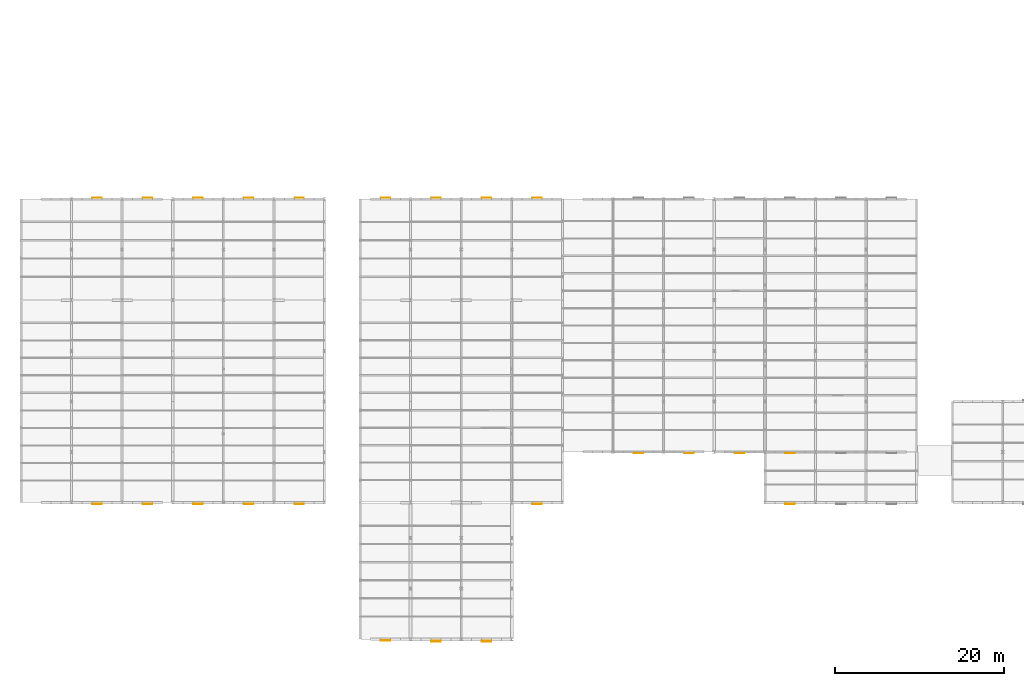
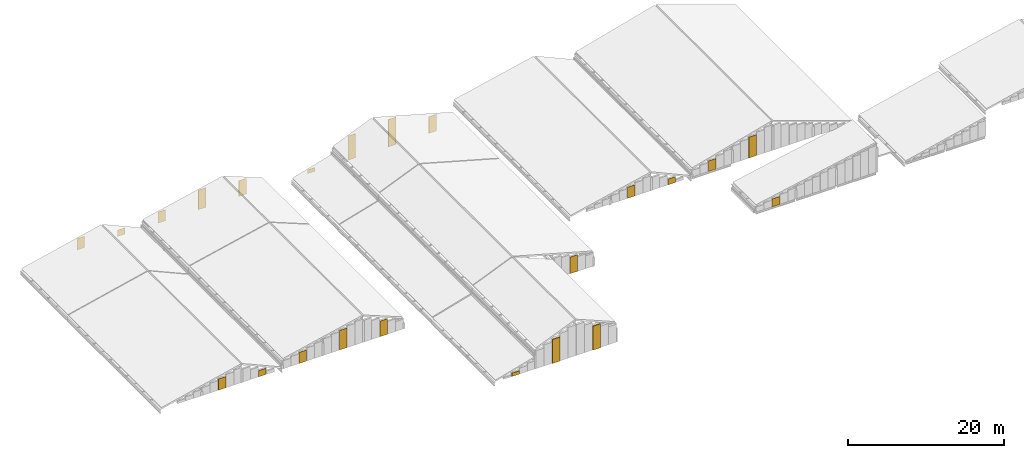
# One storey, part 70 of 74: 23 coverings.
"""IFC4 building model written with IfcOpenShell, lengths in metres."""

from ifc_helpers import new_model, si_unit, direction, frame, origin, origin_2d, place, context, subcontext, project, spatial, rectangle, extrude, material, layer, layer_set, type_object, element, save


model = new_model("IFC4")

# Units and contexts
model_context = context("Model", 3, precision=1e-05, world=origin(), true_north=direction((0.0, 1.0)))
body_context = subcontext(model_context, "Body", "Model", "MODEL_VIEW")
ifc_project = project(units=[si_unit("LENGTHUNIT", "METRE"), si_unit("AREAUNIT", "SQUARE_METRE"), si_unit("VOLUMEUNIT", "CUBIC_METRE"), si_unit("PLANEANGLEUNIT", "RADIAN"), si_unit("MASSUNIT", "GRAM", prefix="KILO")], contexts=[model_context])

# Site, building, storey
site_placement = place(None, origin())
site = spatial("IfcSite", under=ifc_project, at=site_placement, CompositionType="ELEMENT")
building_placement = place(site_placement, origin())
building = spatial("IfcBuilding", under=site, at=building_placement, Name="Siltcreek Boulevard Central Fire Station", CompositionType="ELEMENT")
storey_placement = place(building_placement, frame((0.0, 0.0, 25.199951171875)))
storey = spatial("IfcBuildingStorey", under=building, at=storey_placement, Name="RF", CompositionType="ELEMENT", Elevation=25.199951171875)

# Coverings
ifc_material_1 = material(Name="Sandblasted terracotta red brick veneer", Category="masonry")
ifc_layer_1 = layer(ifc_material_1, 0.090087890625, Name="Sandblasted terracotta red brick veneer")
ifc_layer_set_1 = layer_set([ifc_layer_1], Name="Sandblasted terracotta red brick veneer")
covering_type_1 = type_object("IfcCoveringType", Name="COV_CLAD_BRICK", PredefinedType="CLADDING", material=ifc_layer_set_1)
for number, where, z_axis, x_axis, name in (
    (1, (51.0, 1.58203125, -15.169921875), (0.0, 0.0, 1.0), (1.0, 0.0, 0.0), "Gable facade cladding panel CL-031"),
    (2, (57.0, 1.58203125, -15.169921875), (0.0, 0.0, 1.0), (1.0, 0.0, 0.0), "Gable facade cladding panel CL-032"),
):
    element("IfcCovering", number, at=place(storey_placement, frame(where, z_axis=z_axis, x_axis=x_axis)), inside=storey, type_object=covering_type_1, Name=name, PredefinedType="CLADDING", context=body_context, shape_type="SweptSolid", body=[
        extrude(rectangle(XDim=1.1220703125, YDim=0.090087890625, at=origin_2d()), origin(), (0.0, 0.0, 1.0), 3.762939453125),
    ])
ifc_material_2 = material(Name="Clear-sealed Western Red Cedar gable cladding", Category="wood")
ifc_layer_2 = layer(ifc_material_2, 0.034912109375, Name="Clear-sealed Western Red Cedar gable cladding")
ifc_layer_set_2 = layer_set([ifc_layer_2], Name="Clear-sealed Western Red Cedar gable cladding")
covering_type_2 = type_object("IfcCoveringType", Name="COV_CLAD_CEDAR", PredefinedType="CLADDING", material=ifc_layer_set_2)
covering_1_placement = place(storey_placement, frame((45.0, 1.652099609375, -15.169921875), z_axis=(0.0, 0.0, 1.0), x_axis=(1.0, 0.0, 0.0)))
element("IfcCovering", 3, at=covering_1_placement, inside=storey, type_object=covering_type_2, Name="Gable facade cladding panel CL-029", PredefinedType="CLADDING", context=body_context, shape_type="SweptSolid", body=[
    extrude(rectangle(XDim=1.1220703125, YDim=0.034912109375, at=origin_2d()), origin(), (0.0, 0.0, 1.0), 0.5234375),
])
covering_2_placement = place(storey_placement, frame((45.0, 54.14794921875, -15.169921875), z_axis=(0.0, 0.0, 1.0), x_axis=(-1.0, 0.0, 0.0)))
element("IfcCovering", 4, at=covering_2_placement, inside=storey, type_object=covering_type_2, Name="Gable facade cladding panel CL-030", PredefinedType="CLADDING", context=body_context, shape_type="SweptSolid", body=[
    extrude(rectangle(XDim=1.1220703125, YDim=0.034912109375, at=origin_2d()), origin(), (0.0, 0.0, 1.0), 0.593017578125),
])
covering_3_placement = place(storey_placement, frame((63.0, 17.85205078125, -15.169921875), z_axis=(0.0, 0.0, 1.0), x_axis=(1.0, 0.0, 0.0)))
element("IfcCovering", 5, at=covering_3_placement, inside=storey, type_object=covering_type_2, Name="Gable facade cladding panel CL-033", PredefinedType="CLADDING", context=body_context, shape_type="SweptSolid", body=[
    extrude(rectangle(XDim=1.1220703125, YDim=0.034912109375, at=origin_2d()), origin(), (0.0, 0.0, 1.0), 2.593017578125),
])
covering_4_placement = place(storey_placement, frame((51.0, 54.14794921875, -15.169921875), z_axis=(0.0, 0.0, 1.0), x_axis=(-1.0, 0.0, 0.0)))
element("IfcCovering", 6, at=covering_4_placement, inside=storey, type_object=covering_type_2, Name="Gable facade cladding panel CL-034", PredefinedType="CLADDING", context=body_context, shape_type="SweptSolid", body=[
    extrude(rectangle(XDim=1.1220703125, YDim=0.034912109375, at=origin_2d()), origin(), (0.0, 0.0, 1.0), 3.78466796875),
])
covering_5_placement = place(storey_placement, frame((57.0, 54.14794921875, -15.169921875), z_axis=(0.0, 0.0, 1.0), x_axis=(-1.0, 0.0, 0.0)))
element("IfcCovering", 7, at=covering_5_placement, inside=storey, type_object=covering_type_2, Name="Gable facade cladding panel CL-035", PredefinedType="CLADDING", context=body_context, shape_type="SweptSolid", body=[
    extrude(rectangle(XDim=1.1220703125, YDim=0.034912109375, at=origin_2d()), origin(), (0.0, 0.0, 1.0), 4.288818359375),
])
covering_6_placement = place(storey_placement, frame((63.0, 54.14794921875, -15.169921875), z_axis=(0.0, 0.0, 1.0), x_axis=(-1.0, 0.0, 0.0)))
element("IfcCovering", 8, at=covering_6_placement, inside=storey, type_object=covering_type_2, Name="Gable facade cladding panel CL-036", PredefinedType="CLADDING", context=body_context, shape_type="SweptSolid", body=[
    extrude(rectangle(XDim=1.1220703125, YDim=0.034912109375, at=origin_2d()), origin(), (0.0, 0.0, 1.0), 2.61376953125),
])
covering_7_placement = place(storey_placement, frame((75.0, 23.85205078125, -11.169921875), z_axis=(0.0, 0.0, 1.0), x_axis=(1.0, 0.0, 0.0)))
element("IfcCovering", 9, at=covering_7_placement, inside=storey, type_object=covering_type_2, Name="Gable facade cladding panel CL-037", PredefinedType="CLADDING", context=body_context, shape_type="SweptSolid", body=[
    extrude(rectangle(XDim=1.1220703125, YDim=0.034912109375, at=origin_2d()), origin(), (0.0, 0.0, 1.0), 1.7158203125),
])
covering_8_placement = place(storey_placement, frame((81.0, 23.85205078125, -11.169921875), z_axis=(0.0, 0.0, 1.0), x_axis=(1.0, 0.0, 0.0)))
element("IfcCovering", 10, at=covering_8_placement, inside=storey, type_object=covering_type_2, Name="Gable facade cladding panel CL-039", PredefinedType="CLADDING", context=body_context, shape_type="SweptSolid", body=[
    extrude(rectangle(XDim=1.1220703125, YDim=0.034912109375, at=origin_2d()), origin(), (0.0, 0.0, 1.0), 0.889892578125),
])
covering_9_placement = place(storey_placement, frame((87.0, 23.85205078125, -11.169921875), z_axis=(0.0, 0.0, 1.0), x_axis=(1.0, 0.0, 0.0)))
element("IfcCovering", 11, at=covering_9_placement, inside=storey, type_object=covering_type_2, Name="Gable facade cladding panel CL-041", PredefinedType="CLADDING", context=body_context, shape_type="SweptSolid", body=[
    extrude(rectangle(XDim=1.1220703125, YDim=0.034912109375, at=origin_2d()), origin(), (0.0, 0.0, 1.0), 1.63330078125),
])
covering_10_placement = place(storey_placement, frame((93.0, 23.85205078125, -11.169921875), z_axis=(0.0, 0.0, 1.0), x_axis=(1.0, 0.0, 0.0)))
element("IfcCovering", 12, at=covering_10_placement, inside=storey, type_object=covering_type_2, Name="Gable facade cladding panel CL-042", PredefinedType="CLADDING", context=body_context, shape_type="SweptSolid", body=[
    extrude(rectangle(XDim=1.1220703125, YDim=0.034912109375, at=origin_2d()), origin(), (0.0, 0.0, 1.0), 3.283203125),
])
covering_11_placement = place(storey_placement, frame((93.0, 17.85205078125, -15.169921875), z_axis=(0.0, 0.0, 1.0), x_axis=(1.0, 0.0, 0.0)))
element("IfcCovering", 13, at=covering_11_placement, inside=storey, type_object=covering_type_2, Name="Gable facade cladding panel CL-049", PredefinedType="CLADDING", context=body_context, shape_type="SweptSolid", body=[
    extrude(rectangle(XDim=1.1220703125, YDim=0.034912109375, at=origin_2d()), origin(), (0.0, 0.0, 1.0), 1.227294921875),
])
covering_12_placement = place(storey_placement, frame((10.800048828125, 17.85205078125, -15.169921875), z_axis=(0.0, 0.0, 1.0), x_axis=(1.0, 0.0, 0.0)))
element("IfcCovering", 14, at=covering_12_placement, inside=storey, type_object=covering_type_2, Name="Gable facade cladding panel CL-055", PredefinedType="CLADDING", context=body_context, shape_type="SweptSolid", body=[
    extrude(rectangle(XDim=1.1220703125, YDim=0.034912109375, at=origin_2d()), origin(), (0.0, 0.0, 1.0), 1.7353515625),
])
covering_13_placement = place(storey_placement, frame((16.800048828125, 17.85205078125, -15.169921875), z_axis=(0.0, 0.0, 1.0), x_axis=(1.0, 0.0, 0.0)))
element("IfcCovering", 15, at=covering_13_placement, inside=storey, type_object=covering_type_2, Name="Gable facade cladding panel CL-056", PredefinedType="CLADDING", context=body_context, shape_type="SweptSolid", body=[
    extrude(rectangle(XDim=1.1220703125, YDim=0.034912109375, at=origin_2d()), origin(), (0.0, 0.0, 1.0), 0.970703125),
])
covering_14_placement = place(storey_placement, frame((10.800048828125, 54.14794921875, -15.169921875), z_axis=(0.0, 0.0, 1.0), x_axis=(-1.0, 0.0, 0.0)))
element("IfcCovering", 16, at=covering_14_placement, inside=storey, type_object=covering_type_2, Name="Gable facade cladding panel CL-057", PredefinedType="CLADDING", context=body_context, shape_type="SweptSolid", body=[
    extrude(rectangle(XDim=1.1220703125, YDim=0.034912109375, at=origin_2d()), origin(), (0.0, 0.0, 1.0), 1.755859375),
])
covering_15_placement = place(storey_placement, frame((16.800048828125, 54.14794921875, -15.169921875), z_axis=(0.0, 0.0, 1.0), x_axis=(-1.0, 0.0, 0.0)))
element("IfcCovering", 17, at=covering_15_placement, inside=storey, type_object=covering_type_2, Name="Gable facade cladding panel CL-058", PredefinedType="CLADDING", context=body_context, shape_type="SweptSolid", body=[
    extrude(rectangle(XDim=1.1220703125, YDim=0.034912109375, at=origin_2d()), origin(), (0.0, 0.0, 1.0), 0.992431640625),
])
covering_16_placement = place(storey_placement, frame((22.800048828125, 17.85205078125, -15.169921875), z_axis=(0.0, 0.0, 1.0), x_axis=(1.0, 0.0, 0.0)))
element("IfcCovering", 18, at=covering_16_placement, inside=storey, type_object=covering_type_2, Name="Gable facade cladding panel CL-059", PredefinedType="CLADDING", context=body_context, shape_type="SweptSolid", body=[
    extrude(rectangle(XDim=1.1220703125, YDim=0.034912109375, at=origin_2d()), origin(), (0.0, 0.0, 1.0), 1.7158203125),
])
covering_17_placement = place(storey_placement, frame((28.800048828125, 17.85205078125, -15.169921875), z_axis=(0.0, 0.0, 1.0), x_axis=(1.0, 0.0, 0.0)))
element("IfcCovering", 19, at=covering_17_placement, inside=storey, type_object=covering_type_2, Name="Gable facade cladding panel CL-060", PredefinedType="CLADDING", context=body_context, shape_type="SweptSolid", body=[
    extrude(rectangle(XDim=1.1220703125, YDim=0.034912109375, at=origin_2d()), origin(), (0.0, 0.0, 1.0), 3.06591796875),
])
covering_18_placement = place(storey_placement, frame((34.800048828125, 17.85205078125, -15.169921875), z_axis=(0.0, 0.0, 1.0), x_axis=(1.0, 0.0, 0.0)))
element("IfcCovering", 20, at=covering_18_placement, inside=storey, type_object=covering_type_2, Name="Gable facade cladding panel CL-061", PredefinedType="CLADDING", context=body_context, shape_type="SweptSolid", body=[
    extrude(rectangle(XDim=1.1220703125, YDim=0.034912109375, at=origin_2d()), origin(), (0.0, 0.0, 1.0), 2.42431640625),
])
covering_19_placement = place(storey_placement, frame((22.800048828125, 54.14794921875, -15.169921875), z_axis=(0.0, 0.0, 1.0), x_axis=(-1.0, 0.0, 0.0)))
element("IfcCovering", 21, at=covering_19_placement, inside=storey, type_object=covering_type_2, Name="Gable facade cladding panel CL-062", PredefinedType="CLADDING", context=body_context, shape_type="SweptSolid", body=[
    extrude(rectangle(XDim=1.1220703125, YDim=0.034912109375, at=origin_2d()), origin(), (0.0, 0.0, 1.0), 1.736328125),
])
covering_20_placement = place(storey_placement, frame((28.800048828125, 54.14794921875, -15.169921875), z_axis=(0.0, 0.0, 1.0), x_axis=(-1.0, 0.0, 0.0)))
element("IfcCovering", 22, at=covering_20_placement, inside=storey, type_object=covering_type_2, Name="Gable facade cladding panel CL-063", PredefinedType="CLADDING", context=body_context, shape_type="SweptSolid", body=[
    extrude(rectangle(XDim=1.1220703125, YDim=0.034912109375, at=origin_2d()), origin(), (0.0, 0.0, 1.0), 3.086181640625),
])
covering_21_placement = place(storey_placement, frame((34.800048828125, 54.14794921875, -15.169921875), z_axis=(0.0, 0.0, 1.0), x_axis=(-1.0, 0.0, 0.0)))
element("IfcCovering", 23, at=covering_21_placement, inside=storey, type_object=covering_type_2, Name="Gable facade cladding panel CL-064", PredefinedType="CLADDING", context=body_context, shape_type="SweptSolid", body=[
    extrude(rectangle(XDim=1.1220703125, YDim=0.034912109375, at=origin_2d()), origin(), (0.0, 0.0, 1.0), 2.44580078125),
])

save(model, "model.ifc")
